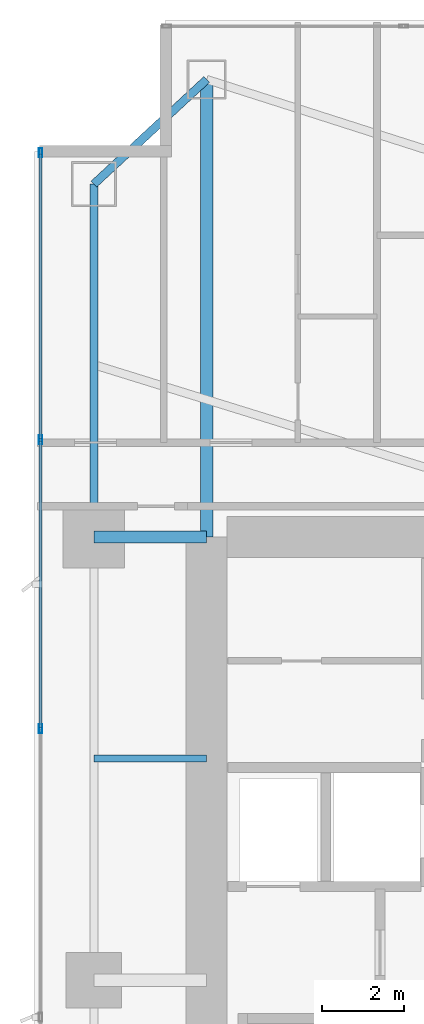
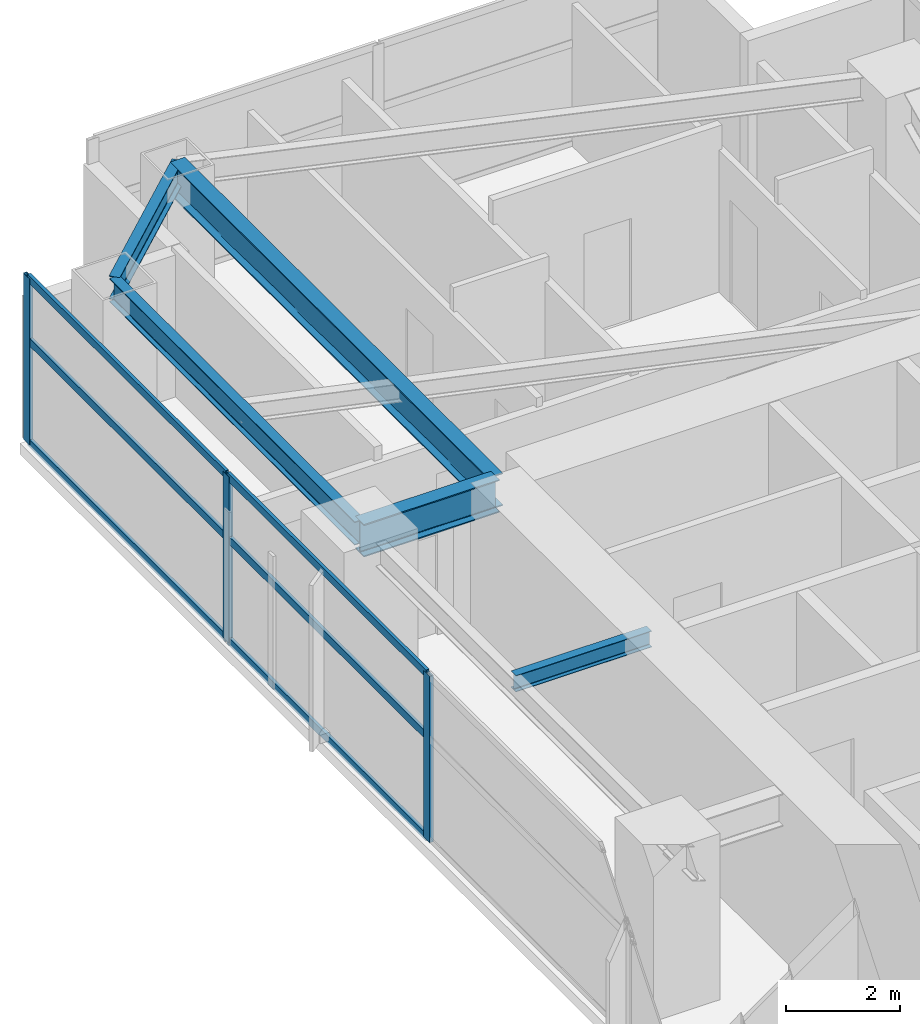
# One storey, part 16 of 29: 9 members, 5 beams, 1 element without a shape of its own.
"""IFC4 building model written with IfcOpenShell, lengths in metres."""

from ifc_helpers import new_model, si_unit, direction, frame, origin, origin_2d, place, context, subcontext, project, spatial, hollow_rectangle, i_section, extrude, material, layer, layer_set, material_profile, profile_set, type_object, element, aggregate, save


model = new_model("IFC4")

# Units and contexts
model_context = context("Model", 3, precision=1e-05, world=origin(), true_north=direction((0.0, 1.0)))
body_context = subcontext(model_context, "Body", "Model", "MODEL_VIEW")
ifc_project = project(units=[si_unit("LENGTHUNIT", "METRE"), si_unit("AREAUNIT", "SQUARE_METRE"), si_unit("VOLUMEUNIT", "CUBIC_METRE"), si_unit("PLANEANGLEUNIT", "RADIAN"), si_unit("MASSUNIT", "GRAM", prefix="KILO")], contexts=[model_context])

# Site, building, storey
site_placement = place(None, origin())
site = spatial("IfcSite", under=ifc_project, at=site_placement, CompositionType="ELEMENT")
building_placement = place(site_placement, origin())
building = spatial("IfcBuilding", under=site, at=building_placement, Name="Calvorn Quay Hotel", CompositionType="ELEMENT")
storey_placement = place(building_placement, frame((0.0, 0.0, 38.39990234375)))
storey = spatial("IfcBuildingStorey", under=building, at=storey_placement, Name="L08", CompositionType="ELEMENT", Elevation=38.39990234375)

# Beams
ifc_material_1 = material(Name="Steel Q390GJC", Category="steel")
ifc_material_profile_1 = material_profile(ifc_material_1, i_section(OverallWidth=0.300048828125, OverallDepth=0.699951171875, WebThickness=0.012939453125, FlangeThickness=0.02392578125, FilletRadius=0.02392578125, at=origin_2d()), Name="HN700x300x13x24")
ifc_profile_set_1 = profile_set([ifc_material_profile_1], Name="Steel Q390GJC")
beam_type_1 = type_object("IfcBeamType", Name="BM-GIRD-MAIN", PredefinedType="BEAM", material=ifc_profile_set_1)
beam_1_placement = place(storey_placement, frame((1.449951171875, 38.39990234375, 3.190185546875), z_axis=(1.0, 0.0, 0.0), x_axis=(0.0, 1.0, 0.0)))
element("IfcBeam", 1, at=beam_1_placement, inside=storey, type_object=beam_type_1, Name="Beam BG-L08-W3", PredefinedType="BEAM", context=body_context, shape_type="SweptSolid", body=[
    extrude(i_section(OverallWidth=0.300048828125, OverallDepth=0.699951171875, WebThickness=0.012939453125, FlangeThickness=0.02392578125, FilletRadius=0.02392578125, at=origin_2d()), origin(), (0.0, 0.0, 1.0), 2.75),
])
beam_2_placement = place(storey_placement, frame((4.199951171875, 49.550048828125, 3.190185546875), z_axis=(0.0, -1.0, 0.0), x_axis=(1.0, 0.0, 0.0)))
element("IfcBeam", 2, at=beam_2_placement, inside=storey, type_object=beam_type_1, Name="Beam BG-L08-W5", PredefinedType="BEAM", context=body_context, shape_type="SweptSolid", body=[
    extrude(i_section(OverallWidth=0.300048828125, OverallDepth=0.699951171875, WebThickness=0.012939453125, FlangeThickness=0.02392578125, FilletRadius=0.02392578125, at=origin_2d()), origin(), (0.0, 0.0, 1.0), 11.150146484375),
])
ifc_material_2 = material(Name="Steel Q355B", Category="steel")
ifc_material_profile_2 = material_profile(ifc_material_2, i_section(OverallWidth=0.175048828125, OverallDepth=0.35009765625, WebThickness=0.007080078125, FlangeThickness=0.010986328125, FilletRadius=0.013916015625, at=origin_2d()), Name="HN350x175x7x11")
ifc_profile_set_2 = profile_set([ifc_material_profile_2], Name="Steel Q355B")
beam_type_2 = type_object("IfcBeamType", Name="BM-JOIST-SEC", PredefinedType="JOIST", material=ifc_profile_set_2)
beam_3_placement = place(storey_placement, frame((1.449951171875, 33.0, 3.364990234375), z_axis=(1.0, 0.0, 0.0), x_axis=(0.0, 1.0, 0.0)))
element("IfcBeam", 3, at=beam_3_placement, inside=storey, type_object=beam_type_2, Name="Beam BJ-L08-W4", PredefinedType="JOIST", context=body_context, shape_type="SweptSolid", body=[
    extrude(i_section(OverallWidth=0.175048828125, OverallDepth=0.35009765625, WebThickness=0.007080078125, FlangeThickness=0.010986328125, FilletRadius=0.013916015625, at=origin_2d()), origin(), (0.0, 0.0, 1.0), 2.75),
])
ifc_material_3 = material(Name="Steel Q355B", Category="steel")
ifc_material_profile_3 = material_profile(ifc_material_3, i_section(OverallWidth=0.199951171875, OverallDepth=0.5, WebThickness=0.010009765625, FlangeThickness=0.01611328125, FilletRadius=0.01611328125, at=origin_2d()), Name="HN500x200x10x16")
ifc_profile_set_3 = profile_set([ifc_material_profile_3], Name="Steel Q355B")
beam_type_3 = type_object("IfcBeamType", Name="BM-SPANDREL-Z1", PredefinedType="SPANDREL", material=ifc_profile_set_3)
beam_4_placement = place(storey_placement, frame((1.449951171875, 38.39990234375, 3.2900390625), z_axis=(0.0, 1.0, 0.0), x_axis=(-1.0, 0.0, 0.0)))
element("IfcBeam", 4, at=beam_4_placement, inside=storey, type_object=beam_type_3, Name="Beam BSP-L08-W4", PredefinedType="SPANDREL", context=body_context, shape_type="SweptSolid", body=[
    extrude(i_section(OverallWidth=0.199951171875, OverallDepth=0.5, WebThickness=0.010009765625, FlangeThickness=0.01611328125, FilletRadius=0.01611328125, at=origin_2d()), origin(), (0.0, 0.0, 1.0), 8.60009765625),
])
beam_5_placement = place(storey_placement, frame((1.449951171875, 47.0, 3.2900390625), z_axis=(0.733261665538, 0.679946563969, 0.0), x_axis=(-0.679946563969, 0.733261665538, 0.0)))
element("IfcBeam", 5, at=beam_5_placement, inside=storey, type_object=beam_type_3, Name="Beam BSP-L08-W5", PredefinedType="SPANDREL", context=body_context, shape_type="SweptSolid", body=[
    extrude(i_section(OverallWidth=0.199951171875, OverallDepth=0.5, WebThickness=0.010009765625, FlangeThickness=0.01611328125, FilletRadius=0.01611328125, at=origin_2d()), origin(), (0.0, 0.0, 1.0), 3.75048828125),
])

# Curtain wall, members
ifc_material_4 = material(Name="Pale Anodised Aluminium and Low-E Glass", Category="aluminium")
ifc_layer = layer(ifc_material_4, 0.219970703125)
ifc_layer_set = layer_set([ifc_layer], Name="CW-SYS-Z1")
curtain_wall_type = type_object("IfcCurtainWallType", Name="CW-SYS-Z1", PredefinedType="NOTDEFINED", material=ifc_layer_set)
curtain_wall_placement = place(storey_placement, origin())
curtain_wall = element("IfcCurtainWall", 6, at=curtain_wall_placement, inside=storey, type_object=curtain_wall_type, Name="Tower West Curtain Wall (L08)", PredefinedType="NOTDEFINED")
ifc_material_5 = material(Name="Pale Anodised Aluminium 6063-T6", Category="aluminium")
ifc_material_profile_4 = material_profile(ifc_material_5, hollow_rectangle(XDim=0.074951171875, YDim=0.219970703125, WallThickness=0.00439453125, at=origin_2d()), Name="ALU-M220x75x4.5")
ifc_profile_set_4 = profile_set([ifc_material_profile_4], Name="Pale Anodised Aluminium 6063-T6")
member_type_1 = type_object("IfcMemberType", Name="CW-SYS-Z1-MUL", PredefinedType="MULLION", material=ifc_profile_set_4)
member_1_placement = place(storey_placement, frame((0.14990234375, 33.7333984375, 0.0), z_axis=(0.0, 0.0, 1.0), x_axis=(-1.0, 0.0, 0.0)))
member_1 = element("IfcMember", 7, at=member_1_placement, type_object=member_type_1, Name="CW-L08-W mullion 5", PredefinedType="MULLION", context=body_context, shape_type="SweptSolid", body=[
    extrude(hollow_rectangle(XDim=0.074951171875, YDim=0.219970703125, WallThickness=0.00439453125, at=origin_2d()), origin(), (0.0, 0.0, 1.0), 3.56005859375),
])
member_2_placement = place(storey_placement, frame((0.14990234375, 40.7666015625, 0.0), z_axis=(0.0, 0.0, 1.0), x_axis=(-1.0, 0.0, 0.0)))
member_2 = element("IfcMember", 8, at=member_2_placement, type_object=member_type_1, Name="CW-L08-W mullion 6", PredefinedType="MULLION", context=body_context, shape_type="SweptSolid", body=[
    extrude(hollow_rectangle(XDim=0.074951171875, YDim=0.219970703125, WallThickness=0.00439453125, at=origin_2d()), origin(), (0.0, 0.0, 1.0), 3.56005859375),
])
member_3_placement = place(storey_placement, frame((0.14990234375, 47.77001953125, 0.0), z_axis=(0.0, 0.0, 1.0), x_axis=(-1.0, 0.0, 0.0)))
member_3 = element("IfcMember", 9, at=member_3_placement, type_object=member_type_1, Name="CW-L08-W mullion 7", PredefinedType="MULLION", context=body_context, shape_type="SweptSolid", body=[
    extrude(hollow_rectangle(XDim=0.074951171875, YDim=0.219970703125, WallThickness=0.00439453125, at=origin_2d()), origin(), (0.0, 0.0, 1.0), 3.56005859375),
])
ifc_material_6 = material(Name="Pale Anodised Aluminium 6063-T6", Category="aluminium")
ifc_material_profile_5 = material_profile(ifc_material_6, hollow_rectangle(XDim=0.06494140625, YDim=0.1650390625, WallThickness=0.00341796875, at=origin_2d()), Name="ALU-T165x65x3.5")
ifc_profile_set_5 = profile_set([ifc_material_profile_5], Name="Pale Anodised Aluminium 6063-T6")
member_type_2 = type_object("IfcMemberType", Name="CW-SYS-Z1-TRN", PredefinedType="USERDEFINED", material=ifc_profile_set_5)
member_4_placement = place(storey_placement, frame((0.14990234375, 33.763427734375, 0.030029296875), z_axis=(0.0, 1.0, 0.0), x_axis=(-1.0, 0.0, 0.0)))
member_4 = element("IfcMember", 10, at=member_4_placement, type_object=member_type_2, Name="CW-L08-W transom 5.1", ObjectType="TRANSOM", PredefinedType="USERDEFINED", context=body_context, shape_type="SweptSolid", body=[
    extrude(hollow_rectangle(XDim=0.06494140625, YDim=0.1650390625, WallThickness=0.00341796875, at=origin_2d()), origin(), (0.0, 0.0, 1.0), 6.97314453125),
])
member_5_placement = place(storey_placement, frame((0.14990234375, 33.763427734375, 2.2001953125), z_axis=(0.0, 1.0, 0.0), x_axis=(-1.0, 0.0, 0.0)))
member_5 = element("IfcMember", 11, at=member_5_placement, type_object=member_type_2, Name="CW-L08-W transom 5.2", ObjectType="TRANSOM", PredefinedType="USERDEFINED", context=body_context, shape_type="SweptSolid", body=[
    extrude(hollow_rectangle(XDim=0.06494140625, YDim=0.1650390625, WallThickness=0.00341796875, at=origin_2d()), origin(), (0.0, 0.0, 1.0), 6.97314453125),
])
member_6_placement = place(storey_placement, frame((0.14990234375, 33.763427734375, 3.530029296875), z_axis=(0.0, 1.0, 0.0), x_axis=(-1.0, 0.0, 0.0)))
member_6 = element("IfcMember", 12, at=member_6_placement, type_object=member_type_2, Name="CW-L08-W transom 5.3", ObjectType="TRANSOM", PredefinedType="USERDEFINED", context=body_context, shape_type="SweptSolid", body=[
    extrude(hollow_rectangle(XDim=0.06494140625, YDim=0.1650390625, WallThickness=0.00341796875, at=origin_2d()), origin(), (0.0, 0.0, 1.0), 6.97314453125),
])
member_7_placement = place(storey_placement, frame((0.14990234375, 40.796630859375, 0.030029296875), z_axis=(0.0, 1.0, 0.0), x_axis=(-1.0, 0.0, 0.0)))
member_7 = element("IfcMember", 13, at=member_7_placement, type_object=member_type_2, Name="CW-L08-W transom 6.1", ObjectType="TRANSOM", PredefinedType="USERDEFINED", context=body_context, shape_type="SweptSolid", body=[
    extrude(hollow_rectangle(XDim=0.06494140625, YDim=0.1650390625, WallThickness=0.00341796875, at=origin_2d()), origin(), (0.0, 0.0, 1.0), 6.943359375),
])
member_8_placement = place(storey_placement, frame((0.14990234375, 40.796630859375, 2.2001953125), z_axis=(0.0, 1.0, 0.0), x_axis=(-1.0, 0.0, 0.0)))
member_8 = element("IfcMember", 14, at=member_8_placement, type_object=member_type_2, Name="CW-L08-W transom 6.2", ObjectType="TRANSOM", PredefinedType="USERDEFINED", context=body_context, shape_type="SweptSolid", body=[
    extrude(hollow_rectangle(XDim=0.06494140625, YDim=0.1650390625, WallThickness=0.00341796875, at=origin_2d()), origin(), (0.0, 0.0, 1.0), 6.943359375),
])
member_9_placement = place(storey_placement, frame((0.14990234375, 40.796630859375, 3.530029296875), z_axis=(0.0, 1.0, 0.0), x_axis=(-1.0, 0.0, 0.0)))
member_9 = element("IfcMember", 15, at=member_9_placement, type_object=member_type_2, Name="CW-L08-W transom 6.3", ObjectType="TRANSOM", PredefinedType="USERDEFINED", context=body_context, shape_type="SweptSolid", body=[
    extrude(hollow_rectangle(XDim=0.06494140625, YDim=0.1650390625, WallThickness=0.00341796875, at=origin_2d()), origin(), (0.0, 0.0, 1.0), 6.943359375),
])
aggregate(curtain_wall, [member_1, member_2, member_3, member_4, member_5, member_6, member_7, member_8, member_9])

save(model, "model.ifc")
